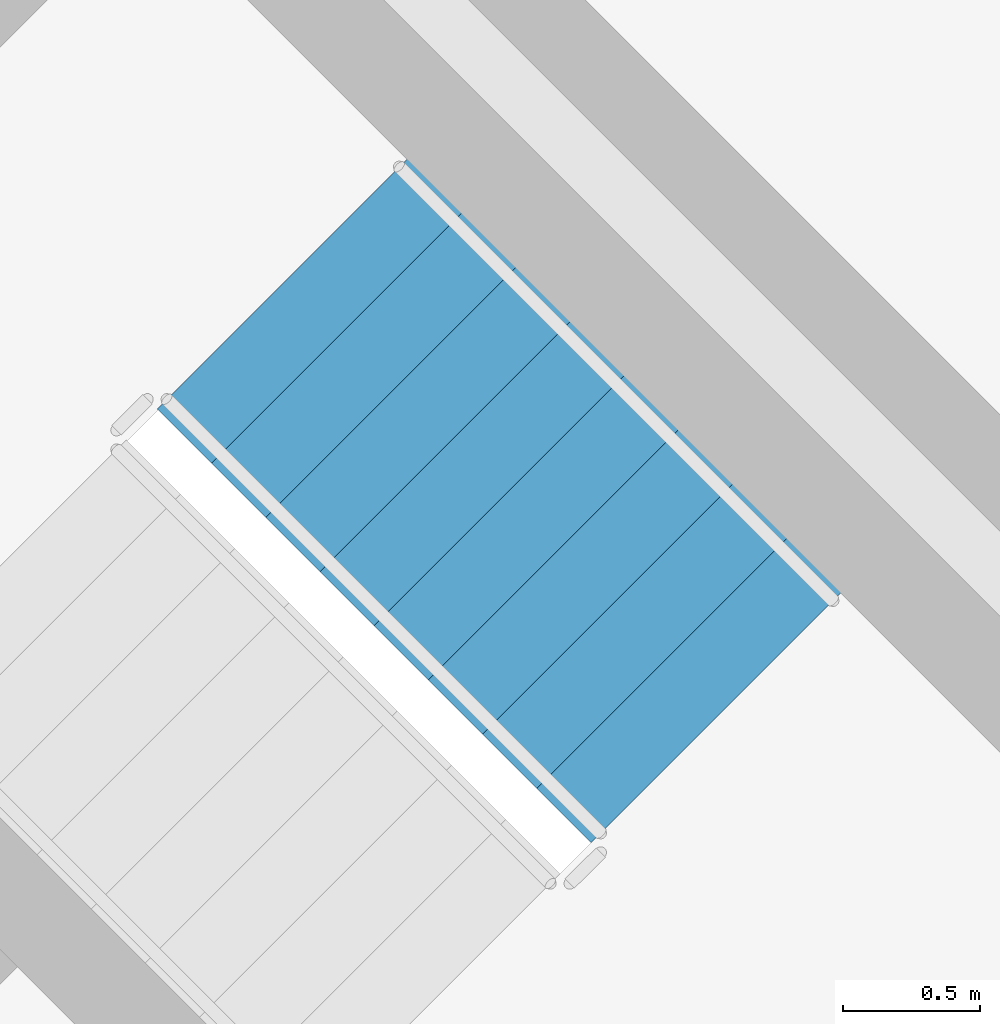
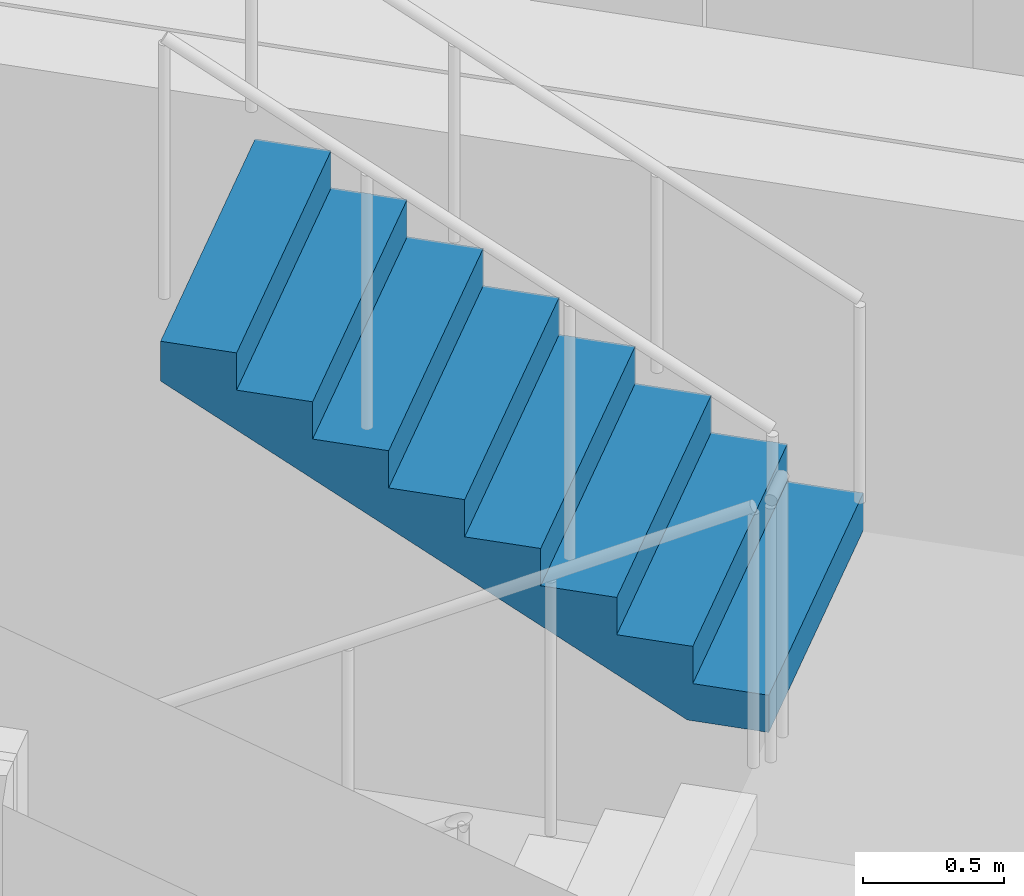
# One storey, part 16 of 18: 1 stair flight, 1 element without a shape of its own.
"""IFC4 building model written with IfcOpenShell, lengths in metres."""

from ifc_helpers import new_model, si_unit, direction, frame, origin, place, context, subcontext, project, spatial, polyline, outline, extrude, material, type_object, element, aggregate, save


model = new_model("IFC4")

# Units and contexts
model_context = context("Model", 3, precision=1e-05, world=origin(), true_north=direction((0.0, 1.0)))
body_context = subcontext(model_context, "Body", "Model", "MODEL_VIEW")
ifc_project = project(units=[si_unit("LENGTHUNIT", "METRE"), si_unit("AREAUNIT", "SQUARE_METRE"), si_unit("VOLUMEUNIT", "CUBIC_METRE"), si_unit("PLANEANGLEUNIT", "RADIAN"), si_unit("MASSUNIT", "GRAM", prefix="KILO")], contexts=[model_context])

# Site, building, storey
site_placement = place(None, origin())
site = spatial("IfcSite", under=ifc_project, at=site_placement, CompositionType="ELEMENT")
building_placement = place(site_placement, origin())
building = spatial("IfcBuilding", under=site, at=building_placement, Name="Cununo Teusaquillo Station Towers", CompositionType="ELEMENT")
storey_placement = place(building_placement, frame((0.0, 0.0, 36.550048828125)))
storey = spatial("IfcBuildingStorey", under=building, at=storey_placement, Name="L10", CompositionType="ELEMENT", Elevation=36.550048828125)

# Stair, stair flight
ifc_material_1 = material(Name="Concrete C50/60", Category="concrete")
stair_type = type_object("IfcStairType", Name="ST-TWR-1300", PredefinedType="HALF_TURN_STAIR", material=ifc_material_1)
stair_placement = place(storey_placement, origin())
stair = element("IfcStair", 1, at=stair_placement, inside=storey, type_object=stair_type, Name="L10 Tower B Protected Core Exit Stair 2", PredefinedType="HALF_TURN_STAIR")
ifc_material_2 = material(Name="Concrete C50/60", Category="concrete")
stair_flight_type = type_object("IfcStairFlightType", Name="SFL-TWR-1300", PredefinedType="STRAIGHT", material=ifc_material_2)
stair_flight_placement = place(storey_placement, frame((63.15673828125, 24.627197265625, 1.454833984375), z_axis=(0.0, 0.0, 1.0), x_axis=(-0.707106781187, 0.707106781187, 0.0)))
stair_flight = element("IfcStairFlight", 2, at=stair_flight_placement, type_object=stair_flight_type, Name="ST-T2-2 flight 2", NumberOfRisers=9, NumberOfTreads=8, PredefinedType="STRAIGHT", RiserHeight=0.161666667, TreadLength=0.28, context=body_context, shape_type="SweptSolid", body=[
    extrude(outline(polyline([(0.0, 0.0), (0.0, 0.16162109375), (0.280029296875, 0.16162109375), (0.280029296875, 0.3232421875), (0.56005859375, 0.3232421875), (0.56005859375, 0.485107421875), (0.840087890625, 0.485107421875), (0.840087890625, 0.646728515625), (1.1201171875, 0.646728515625), (1.1201171875, 0.808349609375), (1.39990234375, 0.808349609375), (1.39990234375, 0.969970703125), (1.679931640625, 0.969970703125), (1.679931640625, 1.131591796875), (1.9599609375, 1.131591796875), (1.9599609375, 1.293212890625), (2.239990234375, 1.293212890625), (2.239990234375, 1.455078125), (2.239990234375, 1.1201171875), (0.2998046875, 0.0), (0.0, 0.0)])), frame((0.0, 0.64990234375, 0.0), z_axis=(0.0, -1.0, 0.0), x_axis=(1.0, 0.0, 0.0)), (0.0, 0.0, 1.0), 1.300048828125),
])
aggregate(stair, [stair_flight])

save(model, "model.ifc")
